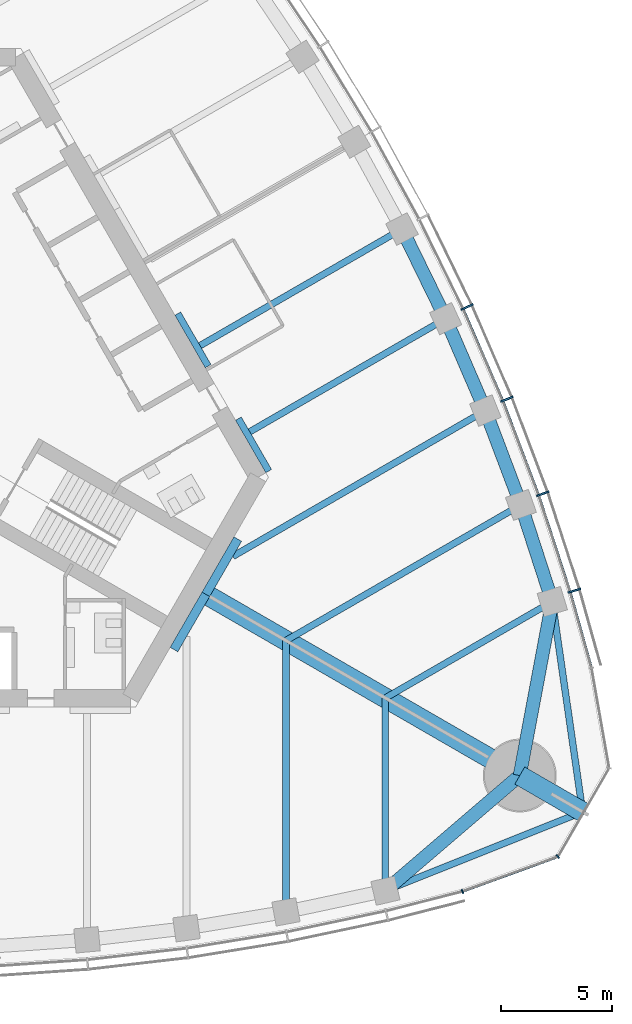
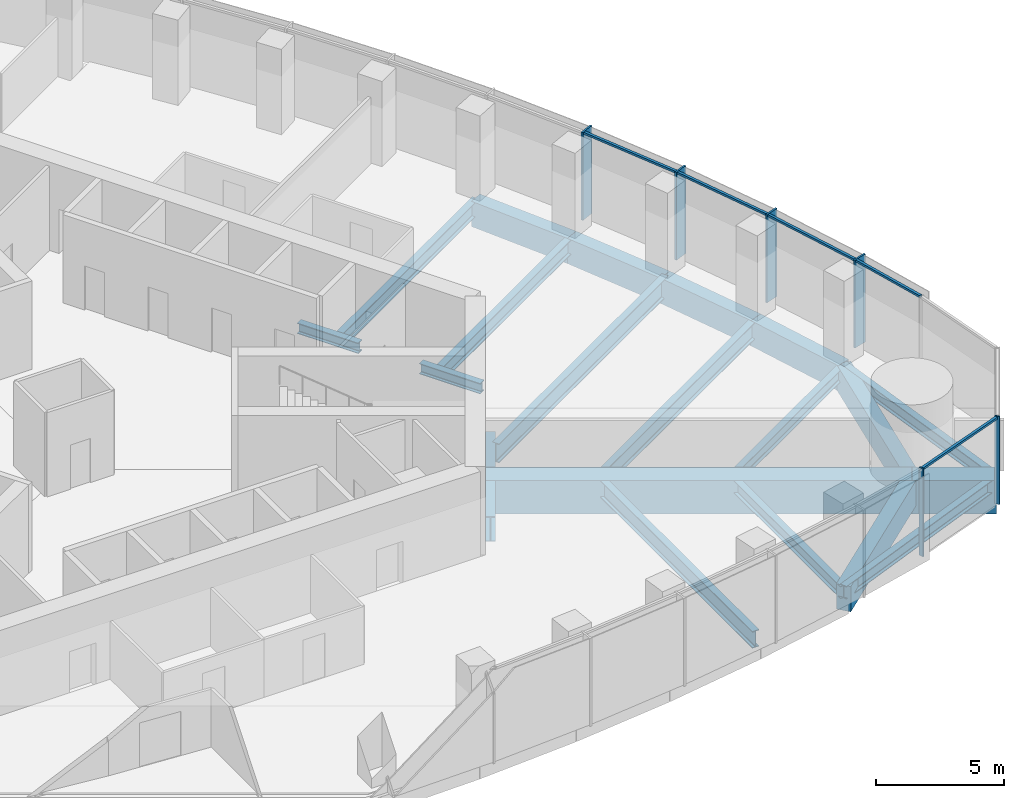
# One storey, part 4 of 19: 21 beams, 11 members, 2 elements without a shape of their own.
"""IFC4 building model written with IfcOpenShell, lengths in metres."""

from ifc_helpers import new_model, si_unit, direction, frame, origin, origin_2d, place, context, subcontext, project, spatial, rectangle, i_section, extrude, material, material_profile, profile_set, type_object, element, aggregate, save


model = new_model("IFC4")

# Units and contexts
model_context = context("Model", 3, precision=1e-05, world=origin(), true_north=direction((0.0, 1.0)))
body_context = subcontext(model_context, "Body", "Model", "MODEL_VIEW")
ifc_project = project(units=[si_unit("LENGTHUNIT", "METRE"), si_unit("AREAUNIT", "SQUARE_METRE"), si_unit("VOLUMEUNIT", "CUBIC_METRE"), si_unit("PLANEANGLEUNIT", "RADIAN"), si_unit("MASSUNIT", "GRAM", prefix="KILO")], contexts=[model_context])

# Site, building, storey
site_placement = place(None, origin())
site = spatial("IfcSite", under=ifc_project, at=site_placement, CompositionType="ELEMENT")
building_placement = place(site_placement, origin())
building = spatial("IfcBuilding", under=site, at=building_placement, Name="Trefoil Bronze Tower", CompositionType="ELEMENT")
storey_placement = place(building_placement, frame((0.0, 0.0, 206.5)))
storey = spatial("IfcBuildingStorey", under=building, at=storey_placement, Name="L47", CompositionType="ELEMENT", Elevation=206.5)

# Curtain wall, members
ifc_material_1 = material(Name="Tinted solar-control glass", Category="glass")
curtain_wall_type_1 = type_object("IfcCurtainWallType", Name="Bronze office curtain wall", PredefinedType="USERDEFINED", material=ifc_material_1)
curtain_wall_1_placement = place(storey_placement, origin())
curtain_wall_1 = element("IfcCurtainWall", 1, at=curtain_wall_1_placement, inside=storey, type_object=curtain_wall_type_1, Name="CW-A L47 F2", ObjectType="CURTAIN WALL", PredefinedType="USERDEFINED")
ifc_material_2 = material(Name="Bronze-finish aluminium", Category="aluminium")
ifc_material_profile_1 = material_profile(ifc_material_2, rectangle(XDim=0.60009765625, YDim=0.080078125, at=origin_2d()), Name="CW-A mullion")
ifc_profile_set_1 = profile_set([ifc_material_profile_1], Name="Bronze-finish aluminium")
member_type_1 = type_object("IfcMemberType", Name="Bronze office curtain wall mullion", PredefinedType="MULLION", material=ifc_profile_set_1)
member_1_placement = place(storey_placement, frame((31.05029296875, -8.132568359375, 0.0), z_axis=(0.0, 0.0, 1.0), x_axis=(-0.95694224323, -0.290278389002, 0.0)))
member_1 = element("IfcMember", 2, at=member_1_placement, type_object=member_type_1, Name="CW-A L47 F2 mullion 2", PredefinedType="MULLION", context=body_context, shape_type="SweptSolid", body=[
    extrude(rectangle(XDim=0.60009765625, YDim=0.080078125, at=origin_2d()), origin(), (0.0, 0.0, 1.0), 4.179931640625),
])
member_2_placement = place(storey_placement, frame((29.619873046875, -3.747314453125, 0.0), z_axis=(0.0, 0.0, 1.0), x_axis=(-0.943180077746, -0.332282020191, 0.0)))
member_2 = element("IfcMember", 3, at=member_2_placement, type_object=member_type_1, Name="CW-A L47 F2 mullion 3", PredefinedType="MULLION", context=body_context, shape_type="SweptSolid", body=[
    extrude(rectangle(XDim=0.60009765625, YDim=0.080078125, at=origin_2d()), origin(), (0.0, 0.0, 1.0), 4.179931640625),
])
member_3_placement = place(storey_placement, frame((27.999755859375, 0.529541015625, 0.0), z_axis=(0.0, 0.0, 1.0), x_axis=(-0.926689348282, -0.375828221106, 0.0)))
member_3 = element("IfcMember", 4, at=member_3_placement, type_object=member_type_1, Name="CW-A L47 F2 mullion 4", PredefinedType="MULLION", context=body_context, shape_type="SweptSolid", body=[
    extrude(rectangle(XDim=0.60009765625, YDim=0.080078125, at=origin_2d()), origin(), (0.0, 0.0, 1.0), 4.179931640625),
])
member_4_placement = place(storey_placement, frame((26.19482421875, 4.699462890625, 0.0), z_axis=(0.0, 0.0, 1.0), x_axis=(-0.908315380354, -0.418285990457, 0.0)))
member_4 = element("IfcMember", 5, at=member_4_placement, type_object=member_type_1, Name="CW-A L47 F2 mullion 5", PredefinedType="MULLION", context=body_context, shape_type="SweptSolid", body=[
    extrude(rectangle(XDim=0.60009765625, YDim=0.080078125, at=origin_2d()), origin(), (0.0, 0.0, 1.0), 4.179931640625),
])
ifc_material_3 = material(Name="Bronze-finish aluminium", Category="aluminium")
ifc_material_profile_2 = material_profile(ifc_material_3, rectangle(XDim=0.1201171875, YDim=0.10009765625, at=origin_2d()), Name="CW-A transom")
ifc_profile_set_2 = profile_set([ifc_material_profile_2], Name="Bronze-finish aluminium")
member_type_2 = type_object("IfcMemberType", Name="Bronze office curtain wall transom", PredefinedType="USERDEFINED", material=ifc_profile_set_2)
member_5_placement = place(storey_placement, frame((31.81201171875, -11.585205078125, 4.1298828125), z_axis=(-0.270284880437, 0.962780392097, 0.0), x_axis=(-0.962780392097, -0.270284880437, 0.0)))
member_5 = element("IfcMember", 6, at=member_5_placement, type_object=member_type_2, Name="CW-A L47 F2 transom 1", ObjectType="TRANSOM", PredefinedType="USERDEFINED", context=body_context, shape_type="SweptSolid", body=[
    extrude(rectangle(XDim=0.1201171875, YDim=0.10009765625, at=origin_2d()), origin(), (0.0, 0.0, 1.0), 3.48388671875),
])
member_6_placement = place(storey_placement, frame((30.845947265625, -8.150634765625, 4.1298828125), z_axis=(-0.310127806788, 0.950694874004, 0.0), x_axis=(-0.950694874004, -0.310127806788, 0.0)))
member_6 = element("IfcMember", 7, at=member_6_placement, type_object=member_type_2, Name="CW-A L47 F2 transom 2", ObjectType="TRANSOM", PredefinedType="USERDEFINED", context=body_context, shape_type="SweptSolid", body=[
    extrude(rectangle(XDim=0.1201171875, YDim=0.10009765625, at=origin_2d()), origin(), (0.0, 0.0, 1.0), 4.51953125),
])
member_7_placement = place(storey_placement, frame((29.416259765625, -3.774169921875, 4.1298828125), z_axis=(-0.354263170896, 0.935145767112, 0.0), x_axis=(-0.935145767112, -0.354263170896, 0.0)))
member_7 = element("IfcMember", 8, at=member_7_placement, type_object=member_type_2, Name="CW-A L47 F2 transom 3", ObjectType="TRANSOM", PredefinedType="USERDEFINED", context=body_context, shape_type="SweptSolid", body=[
    extrude(rectangle(XDim=0.1201171875, YDim=0.10009765625, at=origin_2d()), origin(), (0.0, 0.0, 1.0), 4.4794921875),
])
member_8_placement = place(storey_placement, frame((27.797607421875, 0.4931640625, 4.1298828125), z_axis=(-0.397220936772, 0.917723012346, 0.0), x_axis=(-0.917723012346, -0.397220936772, 0.0)))
member_8 = element("IfcMember", 9, at=member_8_placement, type_object=member_type_2, Name="CW-A L47 F2 transom 4", ObjectType="TRANSOM", PredefinedType="USERDEFINED", context=body_context, shape_type="SweptSolid", body=[
    extrude(rectangle(XDim=0.1201171875, YDim=0.10009765625, at=origin_2d()), origin(), (0.0, 0.0, 1.0), 4.449951171875),
])
aggregate(curtain_wall_1, [member_1, member_2, member_3, member_4, member_5, member_6, member_7, member_8])

ifc_material_4 = material(Name="Tinted solar-control glass", Category="glass")
curtain_wall_type_2 = type_object("IfcCurtainWallType", Name="Bronze rounded corner curtain wall", PredefinedType="USERDEFINED", material=ifc_material_4)
curtain_wall_2_placement = place(storey_placement, origin())
curtain_wall_2 = element("IfcCurtainWall", 10, at=curtain_wall_2_placement, inside=storey, type_object=curtain_wall_type_2, Name="CW-B L47 K1", ObjectType="CURTAIN WALL", PredefinedType="USERDEFINED")
ifc_material_5 = material(Name="Bronze-finish aluminium", Category="aluminium")
ifc_material_profile_3 = material_profile(ifc_material_5, rectangle(XDim=0.199951171875, YDim=0.06005859375, at=origin_2d()), Name="CW-B mullion")
ifc_profile_set_3 = profile_set([ifc_material_profile_3], Name="Bronze-finish aluminium")
member_type_3 = type_object("IfcMemberType", Name="Bronze rounded corner curtain wall mullion", PredefinedType="MULLION", material=ifc_profile_set_3)
member_9_placement = place(storey_placement, frame((25.9873046875, -21.74462890625, 0.0), z_axis=(0.0, 0.0, 1.0), x_axis=(-0.342020143326, 0.939692620786, 0.0)))
member_9 = element("IfcMember", 11, at=member_9_placement, type_object=member_type_3, Name="CW-B L47 K1 mullion 1", PredefinedType="MULLION", context=body_context, shape_type="SweptSolid", body=[
    extrude(rectangle(XDim=0.199951171875, YDim=0.06005859375, at=origin_2d()), origin(), (0.0, 0.0, 1.0), 4.179931640625),
])
member_10_placement = place(storey_placement, frame((30.302490234375, -20.16748046875, 0.0), z_axis=(0.0, 0.0, 1.0), x_axis=(-0.642787609687, 0.766044443119, 0.0)))
member_10 = element("IfcMember", 12, at=member_10_placement, type_object=member_type_3, Name="CW-B L47 K1 mullion 2", PredefinedType="MULLION", context=body_context, shape_type="SweptSolid", body=[
    extrude(rectangle(XDim=0.199951171875, YDim=0.06005859375, at=origin_2d()), origin(), (0.0, 0.0, 1.0), 4.179931640625),
])
ifc_material_6 = material(Name="Bronze-finish aluminium", Category="aluminium")
ifc_material_profile_4 = material_profile(ifc_material_6, rectangle(XDim=0.1201171875, YDim=0.10009765625, at=origin_2d()), Name="CW-B transom")
ifc_profile_set_4 = profile_set([ifc_material_profile_4], Name="Bronze-finish aluminium")
member_type_4 = type_object("IfcMemberType", Name="Bronze rounded corner curtain wall transom", PredefinedType="USERDEFINED", material=ifc_profile_set_4)
member_11_placement = place(storey_placement, frame((26.015380859375, -21.734375, 4.1298828125), z_axis=(0.939680910753, 0.342052314664, 0.0), x_axis=(-0.342052314664, 0.939680910753, 0.0)))
member_11 = element("IfcMember", 13, at=member_11_placement, type_object=member_type_4, Name="CW-B L47 K1 transom 1", ObjectType="TRANSOM", PredefinedType="USERDEFINED", context=body_context, shape_type="SweptSolid", body=[
    extrude(rectangle(XDim=0.1201171875, YDim=0.10009765625, at=origin_2d()), origin(), (0.0, 0.0, 1.0), 4.500244140625),
])
aggregate(curtain_wall_2, [member_9, member_10, member_11])

# Beams
ifc_material_7 = material(Name="Steel C355", Category="steel")
ifc_material_profile_5 = material_profile(ifc_material_7, i_section(OverallWidth=0.300048828125, OverallDepth=0.5, WebThickness=0.014404296875, FlangeThickness=0.028076171875, FilletRadius=0.027099609375, at=origin_2d()), Name="HEB 500")
ifc_profile_set_5 = profile_set([ifc_material_profile_5], Name="Steel C355")
beam_type_1 = type_object("IfcBeamType", Name="Core seat beam HEB 500", PredefinedType="BEAM", material=ifc_profile_set_5)
for number, where, z_axis, x_axis, name in (
    (14, (17.219482421875, -2.72509765625, -0.449951171875), (-0.500035825175, 0.866004719122, 0.0), (-0.866004719122, -0.500035825175, 0.0), "Core seat beam F2/-2 L47"),
    (15, (14.47705078125, 2.02490234375, -0.449951171875), (-0.499969057507, 0.866043267704, 0.0), (-0.866043267704, -0.499969057507, 0.0), "Core seat beam F2/-1 L47"),
):
    element("IfcBeam", number, at=place(storey_placement, frame(where, z_axis=z_axis, x_axis=x_axis)), inside=storey, type_object=beam_type_1, Name=name, PredefinedType="BEAM", context=body_context, shape_type="SweptSolid", body=[
        extrude(i_section(OverallWidth=0.300048828125, OverallDepth=0.5, WebThickness=0.014404296875, FlangeThickness=0.028076171875, FilletRadius=0.027099609375, at=origin_2d()), origin(), (0.0, 0.0, 1.0), 2.742431640625),
    ])
ifc_material_8 = material(Name="Steel C355", Category="steel")
ifc_material_profile_6 = material_profile(ifc_material_8, i_section(OverallWidth=0.39990234375, OverallDepth=1.199951171875, WebThickness=0.02001953125, FlangeThickness=0.0400390625, FilletRadius=0.010009765625, at=origin_2d()), Name="WPG 1200")
ifc_profile_set_6 = profile_set([ifc_material_profile_6], Name="Steel C355")
beam_type_2 = type_object("IfcBeamType", Name="Core seat beam WPG 1200", PredefinedType="BEAM", material=ifc_profile_set_6)
for number, where, z_axis, x_axis, name in (
    (16, (12.9326171875, -10.800048828125, -0.800048828125), (0.499995765644, 0.866027848477, 0.0), (-0.866027848477, 0.499995765644, 0.0), "Core seat beam F1/+3 L47"),
    (17, (14.3759765625, -8.300048828125, -0.800048828125), (0.499995765644, 0.866027848477, 0.0), (-0.866027848477, 0.499995765644, 0.0), "Core seat beam F2/-3 L47"),
):
    element("IfcBeam", number, at=place(storey_placement, frame(where, z_axis=z_axis, x_axis=x_axis)), inside=storey, type_object=beam_type_2, Name=name, PredefinedType="BEAM", context=body_context, shape_type="SweptSolid", body=[
        extrude(i_section(OverallWidth=0.39990234375, OverallDepth=1.199951171875, WebThickness=0.02001953125, FlangeThickness=0.0400390625, FilletRadius=0.010009765625, at=origin_2d()), origin(), (0.0, 0.0, 1.0), 2.88671875),
    ])
ifc_material_9 = material(Name="Concrete B80", Category="concrete")
ifc_material_profile_7 = material_profile(ifc_material_9, rectangle(XDim=0.89990234375, YDim=1.60009765625, at=origin_2d()), Name="RC 900x1600")
ifc_profile_set_7 = profile_set([ifc_material_profile_7], Name="Concrete B80")
beam_type_3 = type_object("IfcBeamType", Name="Corner cantilever RC 900x1600", PredefinedType="BEAM", material=ifc_profile_set_7)
beam_1_placement = place(storey_placement, frame((28.578857421875, -16.5, -1.0), z_axis=(0.866016004958, -0.500016278891, 0.0), x_axis=(0.500016278891, 0.866016004958, 0.0)))
element("IfcBeam", 18, at=beam_1_placement, inside=storey, type_object=beam_type_3, Name="Corner cantilever K1 L47", PredefinedType="BEAM", context=body_context, shape_type="SweptSolid", body=[
    extrude(rectangle(XDim=0.89990234375, YDim=1.60009765625, at=origin_2d()), origin(), (0.0, 0.0, 1.0), 3.28466796875),
])
ifc_material_10 = material(Name="Steel C355", Category="steel")
ifc_material_profile_8 = material_profile(ifc_material_10, i_section(OverallWidth=0.300048828125, OverallDepth=0.60009765625, WebThickness=0.015380859375, FlangeThickness=0.030029296875, FilletRadius=0.027099609375, at=origin_2d()), Name="HEB 600")
ifc_profile_set_8 = profile_set([ifc_material_profile_8], Name="Steel C355")
beam_type_4 = type_object("IfcBeamType", Name="Corner edge beam HEB 600", PredefinedType="BEAM", material=ifc_profile_set_8)
for number, where, z_axis, x_axis, name in (
    (19, (22.5, -21.71044921875, -0.5), (0.92852048463, 0.371281173266, 0.0), (-0.371281173266, 0.92852048463, 0.0), "Corner edge beam F1A L47"),
    (20, (30.052001953125, -8.63037109375, -0.5), (0.142694489722, -0.989766781925, 0.0), (0.989766781925, 0.142694489722, 0.0), "Corner edge beam F2B L47"),
):
    element("IfcBeam", number, at=place(storey_placement, frame(where, z_axis=z_axis, x_axis=x_axis)), inside=storey, type_object=beam_type_4, Name=name, PredefinedType="BEAM", context=body_context, shape_type="SweptSolid", body=[
        extrude(i_section(OverallWidth=0.300048828125, OverallDepth=0.60009765625, WebThickness=0.015380859375, FlangeThickness=0.030029296875, FilletRadius=0.027099609375, at=origin_2d()), origin(), (0.0, 0.0, 1.0), 9.6103515625),
    ])
ifc_material_11 = material(Name="Concrete B80", Category="concrete")
ifc_material_profile_9 = material_profile(ifc_material_11, rectangle(XDim=0.89990234375, YDim=1.60009765625, at=origin_2d()), Name="RC 900x1600")
ifc_profile_set_9 = profile_set([ifc_material_profile_9], Name="Concrete B80")
beam_type_5 = type_object("IfcBeamType", Name="Corner girder RC 900x1600", PredefinedType="BEAM", material=ifc_profile_set_9)
beam_2_placement = place(storey_placement, frame((14.202880859375, -8.199951171875, -1.0), z_axis=(0.866023450265, -0.500003383579, 0.0), x_axis=(0.500003383579, 0.866023450265, 0.0)))
element("IfcBeam", 21, at=beam_2_placement, inside=storey, type_object=beam_type_5, Name="Corner girder K1 L47", PredefinedType="BEAM", context=body_context, shape_type="SweptSolid", body=[
    extrude(rectangle(XDim=0.89990234375, YDim=1.60009765625, at=origin_2d()), origin(), (0.0, 0.0, 1.0), 16.60009765625),
])
ifc_material_12 = material(Name="Concrete B80", Category="concrete")
ifc_material_profile_10 = material_profile(ifc_material_12, rectangle(XDim=0.60009765625, YDim=1.199951171875, at=origin_2d()), Name="RC 600x1200")
ifc_profile_set_10 = profile_set([ifc_material_profile_10], Name="Concrete B80")
beam_type_6 = type_object("IfcBeamType", Name="End spandrel beam RC 600x1200", PredefinedType="SPANDREL", material=ifc_profile_set_10)
for number, where, z_axis, x_axis, name in (
    (22, (22.5, -21.71044921875, -0.800048828125), (0.759256602365, 0.650791373456, 0.0), (-0.650791373456, 0.759256602365, 0.0), "Spandrel F1.12 L47"),
    (23, (28.578857421875, -16.5, -0.800048828125), (0.18399763073, 0.982926686933, 0.0), (-0.982926686933, 0.18399763073, 0.0), "Spandrel F2.1 L47"),
):
    element("IfcBeam", number, at=place(storey_placement, frame(where, z_axis=z_axis, x_axis=x_axis)), inside=storey, type_object=beam_type_6, Name=name, PredefinedType="SPANDREL", context=body_context, shape_type="SweptSolid", body=[
        extrude(rectangle(XDim=0.60009765625, YDim=1.199951171875, at=origin_2d()), origin(), (0.0, 0.0, 1.0), 8.00634765625),
    ])
ifc_material_13 = material(Name="Steel C355", Category="steel")
ifc_material_profile_11 = material_profile(ifc_material_13, i_section(OverallWidth=0.300048828125, OverallDepth=0.590087890625, WebThickness=0.012939453125, FlangeThickness=0.02490234375, FilletRadius=0.027099609375, at=origin_2d()), Name="HEA 600")
ifc_profile_set_11 = profile_set([ifc_material_profile_11], Name="Steel C355")
beam_type_7 = type_object("IfcBeamType", Name="Floor beam HEA 600", PredefinedType="BEAM", material=ifc_profile_set_11)
beam_3_placement = place(storey_placement, frame((22.5, -21.71044921875, -0.4951171875), z_axis=(0.0, 1.0, 0.0), x_axis=(-1.0, 0.0, 0.0)))
element("IfcBeam", 24, at=beam_3_placement, inside=storey, type_object=beam_type_7, Name="Floor beam F1/+5 L47", PredefinedType="BEAM", context=body_context, shape_type="SweptSolid", body=[
    extrude(i_section(OverallWidth=0.300048828125, OverallDepth=0.590087890625, WebThickness=0.012939453125, FlangeThickness=0.02490234375, FilletRadius=0.027099609375, at=origin_2d()), origin(), (0.0, 0.0, 1.0), 8.719970703125),
])
beam_4_placement = place(storey_placement, frame((30.052001953125, -8.63037109375, -0.4951171875), z_axis=(-0.866027535932, -0.499996306993, 0.0), x_axis=(0.499996306993, -0.866027535932, 0.0)))
element("IfcBeam", 25, at=beam_4_placement, inside=storey, type_object=beam_type_7, Name="Floor beam F2/-5 L47", PredefinedType="BEAM", context=body_context, shape_type="SweptSolid", body=[
    extrude(i_section(OverallWidth=0.300048828125, OverallDepth=0.590087890625, WebThickness=0.012939453125, FlangeThickness=0.02490234375, FilletRadius=0.027099609375, at=origin_2d()), origin(), (0.0, 0.0, 1.0), 8.72021484375),
])
ifc_material_14 = material(Name="Steel C355", Category="steel")
ifc_material_profile_12 = material_profile(ifc_material_14, i_section(OverallWidth=0.300048828125, OverallDepth=0.699951171875, WebThickness=0.01708984375, FlangeThickness=0.031982421875, FilletRadius=0.027099609375, at=origin_2d()), Name="HEB 700")
ifc_profile_set_12 = profile_set([ifc_material_profile_12], Name="Steel C355")
beam_type_8 = type_object("IfcBeamType", Name="Floor beam HEB 700", PredefinedType="BEAM", material=ifc_profile_set_12)
beam_5_placement = place(storey_placement, frame((25.2265625, 4.17236328125, -0.550048828125), z_axis=(-0.866017525653, -0.500013645076, 0.0), x_axis=(0.500013645076, -0.866017525653, 0.0)))
element("IfcBeam", 26, at=beam_5_placement, inside=storey, type_object=beam_type_8, Name="Floor beam F2/-2 L47", PredefinedType="BEAM", context=body_context, shape_type="SweptSolid", body=[
    extrude(i_section(OverallWidth=0.300048828125, OverallDepth=0.699951171875, WebThickness=0.01708984375, FlangeThickness=0.031982421875, FilletRadius=0.027099609375, at=origin_2d()), origin(), (0.0, 0.0, 1.0), 10.233154296875),
])
beam_6_placement = place(storey_placement, frame((23.248046875, 8.22607421875, -0.550048828125), z_axis=(-0.866027918957, -0.499995643569, 0.0), x_axis=(0.499995643569, -0.866027918957, 0.0)))
element("IfcBeam", 27, at=beam_6_placement, inside=storey, type_object=beam_type_8, Name="Floor beam F2/-1 L47", PredefinedType="BEAM", context=body_context, shape_type="SweptSolid", body=[
    extrude(i_section(OverallWidth=0.300048828125, OverallDepth=0.699951171875, WebThickness=0.01708984375, FlangeThickness=0.031982421875, FilletRadius=0.027099609375, at=origin_2d()), origin(), (0.0, 0.0, 1.0), 10.54638671875),
])
ifc_material_15 = material(Name="Steel C355", Category="steel")
ifc_material_profile_13 = material_profile(ifc_material_15, i_section(OverallWidth=0.300048828125, OverallDepth=0.800048828125, WebThickness=0.017578125, FlangeThickness=0.032958984375, FilletRadius=0.030029296875, at=origin_2d()), Name="HEB 800")
ifc_profile_set_13 = profile_set([ifc_material_profile_13], Name="Steel C355")
beam_type_9 = type_object("IfcBeamType", Name="Floor beam HEB 800", PredefinedType="BEAM", material=ifc_profile_set_13)
beam_7_placement = place(storey_placement, frame((18.0, -22.6689453125, -0.60009765625), z_axis=(0.0, 1.0, 0.0), x_axis=(-1.0, 0.0, 0.0)))
element("IfcBeam", 28, at=beam_7_placement, inside=storey, type_object=beam_type_9, Name="Floor beam F1/+4 L47", PredefinedType="BEAM", context=body_context, shape_type="SweptSolid", body=[
    extrude(i_section(OverallWidth=0.300048828125, OverallDepth=0.800048828125, WebThickness=0.017578125, FlangeThickness=0.032958984375, FilletRadius=0.030029296875, at=origin_2d()), origin(), (0.0, 0.0, 1.0), 12.276611328125),
])
beam_8_placement = place(storey_placement, frame((28.632080078125, -4.25390625, -0.60009765625), z_axis=(-0.866025635187, -0.499999599199, 0.0), x_axis=(0.499999599199, -0.866025635187, 0.0)))
element("IfcBeam", 29, at=beam_8_placement, inside=storey, type_object=beam_type_9, Name="Floor beam F2/-4 L47", PredefinedType="BEAM", context=body_context, shape_type="SweptSolid", body=[
    extrude(i_section(OverallWidth=0.300048828125, OverallDepth=0.800048828125, WebThickness=0.017578125, FlangeThickness=0.032958984375, FilletRadius=0.030029296875, at=origin_2d()), origin(), (0.0, 0.0, 1.0), 12.27685546875),
])
ifc_material_16 = material(Name="Steel C355", Category="steel")
ifc_material_profile_14 = material_profile(ifc_material_16, i_section(OverallWidth=0.300048828125, OverallDepth=0.89990234375, WebThickness=0.0185546875, FlangeThickness=0.034912109375, FilletRadius=0.030029296875, at=origin_2d()), Name="HEB 900")
ifc_profile_set_14 = profile_set([ifc_material_profile_14], Name="Steel C355")
beam_type_10 = type_object("IfcBeamType", Name="Floor beam HEB 900", PredefinedType="BEAM", material=ifc_profile_set_14)
beam_9_placement = place(storey_placement, frame((27.022216796875, 0.012939453125, -0.64990234375), z_axis=(-0.866020385251, -0.500008692254, 0.0), x_axis=(0.500008692254, -0.866020385251, 0.0)))
element("IfcBeam", 30, at=beam_9_placement, inside=storey, type_object=beam_type_10, Name="Floor beam F2/-3 L47", PredefinedType="BEAM", context=body_context, shape_type="SweptSolid", body=[
    extrude(i_section(OverallWidth=0.300048828125, OverallDepth=0.89990234375, WebThickness=0.0185546875, FlangeThickness=0.034912109375, FilletRadius=0.030029296875, at=origin_2d()), origin(), (0.0, 0.0, 1.0), 13.191162109375),
])
ifc_material_17 = material(Name="Concrete B80", Category="concrete")
ifc_material_profile_15 = material_profile(ifc_material_17, rectangle(XDim=0.60009765625, YDim=1.199951171875, at=origin_2d()), Name="RC 600x1200")
ifc_profile_set_15 = profile_set([ifc_material_profile_15], Name="Concrete B80")
beam_type_11 = type_object("IfcBeamType", Name="Spandrel beam RC 600x1200", PredefinedType="SPANDREL", material=ifc_profile_set_15)
beam_10_placement = place(storey_placement, frame((30.052001953125, -8.63037109375, -0.800048828125), z_axis=(-0.308608505504, 0.951189145402, 0.0), x_axis=(-0.951189145402, -0.308608505504, 0.0)))
element("IfcBeam", 31, at=beam_10_placement, inside=storey, type_object=beam_type_11, Name="Spandrel F2.2 L47", PredefinedType="SPANDREL", context=body_context, shape_type="SweptSolid", body=[
    extrude(rectangle(XDim=0.60009765625, YDim=1.199951171875, at=origin_2d()), origin(), (0.0, 0.0, 1.0), 4.60107421875),
])
beam_11_placement = place(storey_placement, frame((28.632080078125, -4.25390625, -0.800048828125), z_axis=(-0.353005969632, 0.935621069346, 0.0), x_axis=(-0.935621069346, -0.353005969632, 0.0)))
element("IfcBeam", 32, at=beam_11_placement, inside=storey, type_object=beam_type_11, Name="Spandrel F2.3 L47", PredefinedType="SPANDREL", context=body_context, shape_type="SweptSolid", body=[
    extrude(rectangle(XDim=0.60009765625, YDim=1.199951171875, at=origin_2d()), origin(), (0.0, 0.0, 1.0), 4.560546875),
])
beam_12_placement = place(storey_placement, frame((27.022216796875, 0.012939453125, -0.800048828125), z_axis=(-0.396350337164, 0.918099346602, 0.0), x_axis=(-0.918099346602, -0.396350337164, 0.0)))
element("IfcBeam", 33, at=beam_12_placement, inside=storey, type_object=beam_type_11, Name="Spandrel F2.4 L47", PredefinedType="SPANDREL", context=body_context, shape_type="SweptSolid", body=[
    extrude(rectangle(XDim=0.60009765625, YDim=1.199951171875, at=origin_2d()), origin(), (0.0, 0.0, 1.0), 4.530517578125),
])
beam_13_placement = place(storey_placement, frame((25.2265625, 4.17236328125, -0.800048828125), z_axis=(-0.438619830351, 0.898672712629, 0.0), x_axis=(-0.898672712629, -0.438619830351, 0.0)))
element("IfcBeam", 34, at=beam_13_placement, inside=storey, type_object=beam_type_11, Name="Spandrel F2.5 L47", PredefinedType="SPANDREL", context=body_context, shape_type="SweptSolid", body=[
    extrude(rectangle(XDim=0.60009765625, YDim=1.199951171875, at=origin_2d()), origin(), (0.0, 0.0, 1.0), 4.5107421875),
])

save(model, "model.ifc")
